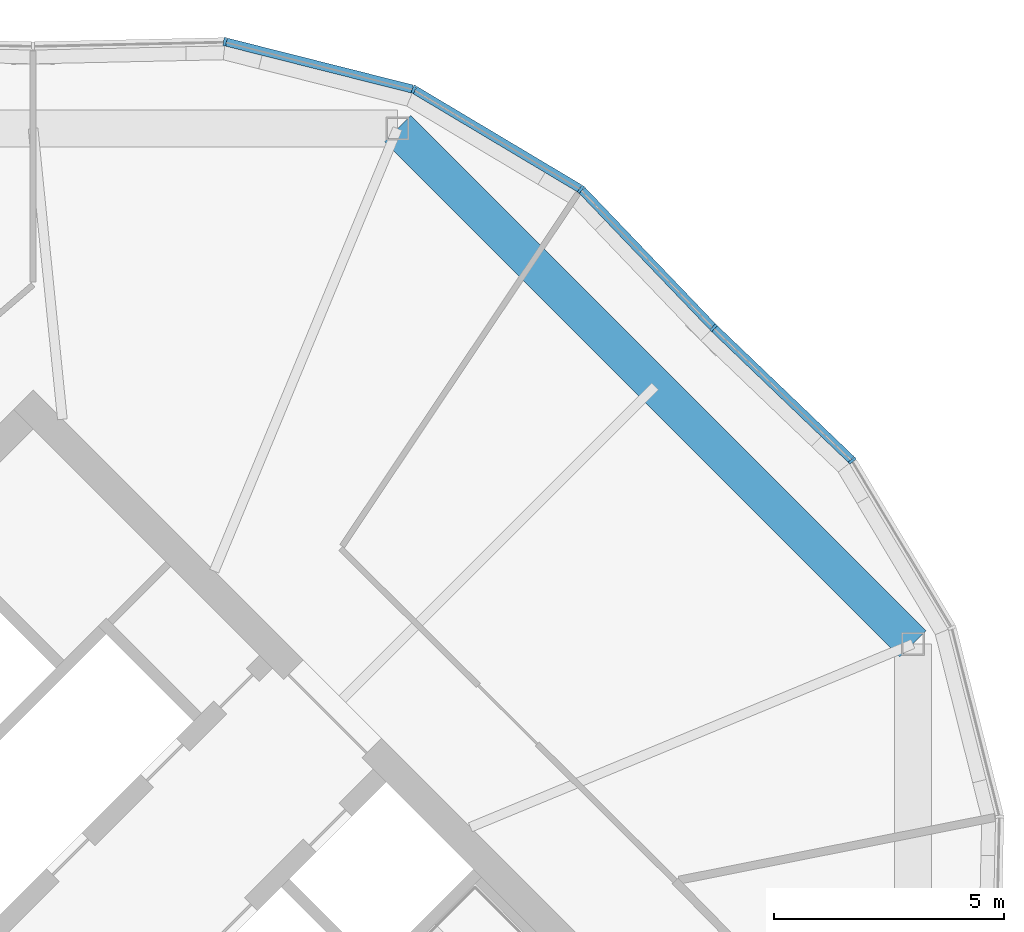
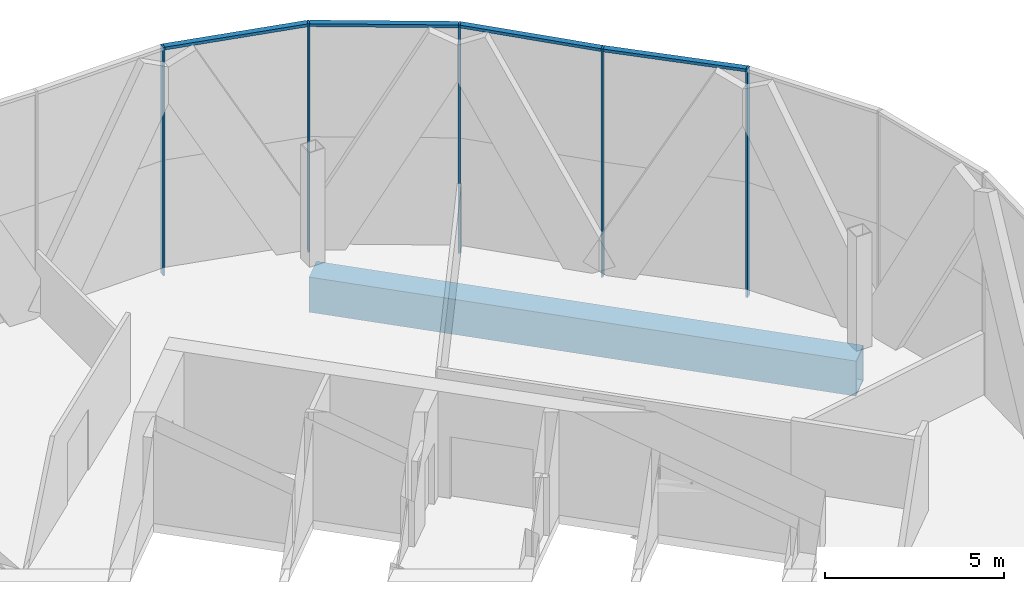
# One storey, part 14 of 26: 9 members, 1 beam, 2 elements without a shape of their own.
"""IFC4 building model written with IfcOpenShell, lengths in metres."""

import ifcopenshell
import ifcopenshell.guid

model = None  # the IFC model being written
_history = None  # IfcOwnerHistory: only IFC2X3 demands one
_inside = {}  # id of a spatial element -> (the spatial element, [elements in it])
_under = {}  # id of a project, library or spatial element -> (it, [spatial elements below it])
_declared = {}  # id of a project -> (the project, [libraries it declares])
_typed = {}  # id of a type object -> (the type object, [elements of that type])
_made_of = {}  # id of a material, layer set ... -> (it, [elements and type objects made of it])


def new_model(schema):
    """Start an empty IFC model of exactly this schema.

    Asked for "IFC4X3", IfcOpenShell would pick the latest addendum, in which some entities
    have other attributes; the version numbers below select the first issue.
    IFC2X3 requires an IfcOwnerHistory on every rooted entity: one is made here for all.
    """
    global model, _history
    if schema == "IFC4X3":
        model = ifcopenshell.file(schema_version=(4, 3, 0, 0))
    else:
        model = ifcopenshell.file(schema=schema)
    _inside.clear()
    _under.clear()
    _declared.clear()
    _typed.clear()
    _made_of.clear()
    _history = None
    if model.schema == "IFC2X3":
        org = make("IfcOrganization", Name="unknown")
        user = make(
            "IfcPersonAndOrganization",
            ThePerson=make("IfcPerson", FamilyName="unknown"),
            TheOrganization=org,
        )
        app = make(
            "IfcApplication",
            ApplicationDeveloper=org,
            Version="unknown",
            ApplicationFullName="unknown",
            ApplicationIdentifier="unknown",
        )
        _history = make(
            "IfcOwnerHistory",
            OwningUser=user,
            OwningApplication=app,
            ChangeAction="ADDED",
            CreationDate=0,
        )
    return model


def make(cls, **values):
    """One entity of the class cls with the attributes given. An attribute that is None is left unset."""
    return model.create_entity(
        cls, **{name: value for name, value in values.items() if value is not None}
    )


def rooted(cls, **values):
    """An entity with a GlobalId (a new one), such as an element, a storey or a relation."""
    return make(cls, GlobalId=ifcopenshell.guid.new(), OwnerHistory=_history, **values)


def si_unit(unit_type, name, prefix=None):
    """IfcSIUnit, for example si_unit("LENGTHUNIT", "METRE", prefix="MILLI")."""
    return make("IfcSIUnit", UnitType=unit_type, Prefix=prefix, Name=name)


def assignment(units):
    """IfcUnitAssignment: the units of a project."""
    return None if units is None else make("IfcUnitAssignment", Units=units)


def point(xyz):
    """IfcCartesianPoint."""
    return None if xyz is None else make("IfcCartesianPoint", Coordinates=xyz)


def direction(xyz):
    """IfcDirection."""
    return None if xyz is None else make("IfcDirection", DirectionRatios=xyz)


def frame(location, z_axis=None, x_axis=None):
    """IfcAxis2Placement3D, a coordinate frame: its origin and axes. An axis left out is left unset."""
    return make(
        "IfcAxis2Placement3D",
        Location=point(location),
        Axis=direction(z_axis),
        RefDirection=direction(x_axis),
    )


def frame_2d(location, x_axis=None):
    """IfcAxis2Placement2D, a coordinate frame in the plane: its origin and x axis."""
    return make(
        "IfcAxis2Placement2D", Location=point(location), RefDirection=direction(x_axis)
    )


def origin():
    """The frame at (0, 0, 0) with its axes left unset."""
    return frame((0.0, 0.0, 0.0))


def origin_2d():
    """The frame at (0, 0) in the plane with its x axis left unset."""
    return frame_2d((0.0, 0.0))


def place(relative_to, where):
    """IfcLocalPlacement: puts the frame where relative to a parent placement (None: the world)."""
    return make(
        "IfcLocalPlacement", PlacementRelTo=relative_to, RelativePlacement=where
    )


def context(
    kind, dimensions, precision=None, world=None, true_north=None, identifier=None
):
    """IfcGeometricRepresentationContext, for example the 3D "Model" context."""
    return make(
        "IfcGeometricRepresentationContext",
        ContextIdentifier=identifier,
        ContextType=kind,
        CoordinateSpaceDimension=dimensions,
        Precision=precision,
        WorldCoordinateSystem=world,
        TrueNorth=true_north,
    )


def subcontext(parent, identifier, kind, view, scale=None):
    """IfcGeometricRepresentationSubContext, for example "Body" below "Model"."""
    return make(
        "IfcGeometricRepresentationSubContext",
        ContextIdentifier=identifier,
        ContextType=kind,
        ParentContext=parent,
        TargetScale=scale,
        TargetView=view,
    )


def project(units=None, contexts=None):
    """IfcProject with its units and contexts."""
    return rooted(
        "IfcProject",
        Name="project",
        RepresentationContexts=contexts,
        UnitsInContext=assignment(units),
    )


def spatial(cls, under=None, at=None, **own):
    """A site, building, storey or space (cls), placed at a placement, below another one or the project."""
    s = rooted(cls, ObjectPlacement=at, **own)
    if under is not None:
        _under.setdefault(under.id(), (under, []))[1].append(s)
    return s


def profile(cls, at=None, kind="AREA", **sizes):
    """A parametric profile (cls). Its sizes go by their IFC names, for example OverallWidth=200.0."""
    return make(cls, ProfileType=kind, Position=at, **sizes)


def rectangle(**sizes):
    """IfcRectangleProfileDef."""
    return profile("IfcRectangleProfileDef", **sizes)


def hollow_rectangle(**sizes):
    """IfcRectangleHollowProfileDef."""
    return profile("IfcRectangleHollowProfileDef", **sizes)


def extrude(swept, where, along, depth):
    """IfcExtrudedAreaSolid: the profile swept, set in the frame where, extruded along a direction by depth."""
    return make(
        "IfcExtrudedAreaSolid",
        SweptArea=swept,
        Position=where,
        ExtrudedDirection=direction(along),
        Depth=depth,
    )


def shape(context_of_items, identifier, shape_type, items):
    """IfcShapeRepresentation: the items that make up one representation, for example the "Body"."""
    return make(
        "IfcShapeRepresentation",
        ContextOfItems=context_of_items,
        RepresentationIdentifier=identifier,
        RepresentationType=shape_type,
        Items=items,
    )


def material(Name=None, Category=None):
    """IfcMaterial."""
    return make("IfcMaterial", Name=Name, Category=Category)


def material_profile(
    of_material, cross_section, Name=None, Category=None, Priority=None
):
    """IfcMaterialProfile: a cross section and its material."""
    return make(
        "IfcMaterialProfile",
        Name=Name,
        Material=of_material,
        Profile=cross_section,
        Priority=Priority,
        Category=Category,
    )


def profile_set(profiles, Name=None, composite=None):
    """IfcMaterialProfileSet."""
    return make(
        "IfcMaterialProfileSet",
        Name=Name,
        MaterialProfiles=profiles,
        CompositeProfile=composite,
    )


def made_of(thing, what):
    """Note that an element or type object is made of a material, layer set ...; save() writes the relation."""
    if what is not None:
        _made_of.setdefault(what.id(), (what, []))[1].append(thing)
    return thing


def type_object(cls, material=None, **own):
    """A type object (cls), such as IfcWallType, which elements share."""
    return made_of(rooted(cls, **own), material)


def element(
    cls,
    number,
    at=None,
    inside=None,
    cuts=None,
    type_object=None,
    material=None,
    context=None,
    identifier="Body",
    shape_type=None,
    held_by="IfcProductDefinitionShape",
    body=None,
    shapes=None,
    **own,
):
    """One element of the class cls, such as IfcWall. Its Tag is "e" and its number.

    at: its placement. inside: the storey or other place that contains it. cuts: it is an
    opening in that element (IfcRelVoidsElement). A single representation is given by context,
    identifier, shape_type and body (its items); several are given by shapes. held_by: the class
    of the entity that holds the representations. save() writes the other relations.
    """
    e = rooted(cls, Tag="e%d" % number, ObjectPlacement=at, **own)
    if body is not None:
        shapes = [shape(context, identifier, shape_type, body)]
    if shapes is not None:
        e.Representation = make(held_by, Representations=shapes)
    if inside is not None:
        _inside.setdefault(inside.id(), (inside, []))[1].append(e)
    if cuts is not None:
        rooted(
            "IfcRelVoidsElement", RelatingBuildingElement=cuts, RelatedOpeningElement=e
        )
    if type_object is not None:
        _typed.setdefault(type_object.id(), (type_object, []))[1].append(e)
    return made_of(e, material)


def aggregate(whole, parts):
    """IfcRelAggregates: a whole, such as a stair, and the parts it consists of."""
    return rooted("IfcRelAggregates", RelatingObject=whole, RelatedObjects=parts)


def save(model, path):
    """Write the relations noted so far, then the file.

    IfcRelAggregates (storeys below a building ...), IfcRelContainedInSpatialStructure (elements
    in a storey), IfcRelDefinesByType, IfcRelAssociatesMaterial and IfcRelDeclares: one each for
    every whole, place, type object, material and project.
    """
    for whole, parts in _under.values():
        aggregate(whole, parts)
    for where, things in _inside.values():
        rooted(
            "IfcRelContainedInSpatialStructure",
            RelatedElements=things,
            RelatingStructure=where,
        )
    for kind, things in _typed.values():
        rooted("IfcRelDefinesByType", RelatedObjects=things, RelatingType=kind)
    for what, things in _made_of.values():
        rooted("IfcRelAssociatesMaterial", RelatedObjects=things, RelatingMaterial=what)
    for by, libraries in _declared.values():
        rooted("IfcRelDeclares", RelatingContext=by, RelatedDefinitions=libraries)
    model.write(path)


model = new_model("IFC4")

# Units and contexts
model_context = context("Model", 3, precision=1e-05, world=origin(), true_north=direction((0.0, 1.0)))
body_context = subcontext(model_context, "Body", "Model", "MODEL_VIEW")
ifc_project = project(units=[si_unit("LENGTHUNIT", "METRE"), si_unit("AREAUNIT", "SQUARE_METRE"), si_unit("VOLUMEUNIT", "CUBIC_METRE"), si_unit("PLANEANGLEUNIT", "RADIAN"), si_unit("MASSUNIT", "GRAM", prefix="KILO")], contexts=[model_context])

# Site, building, storey
site_placement = place(None, origin())
site = spatial("IfcSite", under=ifc_project, at=site_placement, CompositionType="ELEMENT")
building_placement = place(site_placement, origin())
building = spatial("IfcBuilding", under=site, at=building_placement, Name="Ogive Gate Towers", CompositionType="ELEMENT")
storey_placement = place(building_placement, frame((0.0, 0.0, 208.5)))
storey = spatial("IfcBuildingStorey", under=building, at=storey_placement, Name="L50", CompositionType="ELEMENT", Elevation=208.5)

# Beam
ifc_material_1 = material(Name="Steel SM460", Category="steel")
ifc_material_profile_1 = material_profile(ifc_material_1, hollow_rectangle(XDim=0.800048828125, YDim=1.199951171875, WallThickness=0.050048828125, at=origin_2d()), Name="BX 1200x800x50")
ifc_profile_set_1 = profile_set([ifc_material_profile_1], Name="Steel SM460")
beam_type = type_object("IfcBeamType", Name="Edge girder BX 1200x800x50", PredefinedType="BEAM", material=ifc_profile_set_1)
beam_placement = place(storey_placement, frame((55.114990234375, 7.917724609375, -0.89990234375), z_axis=(-0.707106781187, 0.707106781187, 0.0), x_axis=(-0.707106781187, -0.707106781187, 0.0)))
element("IfcBeam", 1, at=beam_placement, inside=storey, type_object=beam_type, Name="T2/L50/SBM021", PredefinedType="BEAM", context=body_context, shape_type="SweptSolid", body=[
    extrude(hollow_rectangle(XDim=0.800048828125, YDim=1.199951171875, WallThickness=0.050048828125, at=origin_2d()), origin(), (0.0, 0.0, 1.0), 15.835205078125),
])

# Curtain wall, members
ifc_material_2 = material(Name="Pale metal aluminium", Category="aluminium")
curtain_wall_type = type_object("IfcCurtainWallType", Name="Tower unitised wall, high zone", PredefinedType="NOTDEFINED", material=ifc_material_2)
curtain_wall_1_placement = place(storey_placement, origin())
curtain_wall_1 = element("IfcCurtainWall", 2, at=curtain_wall_1_placement, inside=storey, type_object=curtain_wall_type, Name="CW2 T2 ECW04", PredefinedType="NOTDEFINED")
ifc_material_profile_2 = material_profile(ifc_material_2, rectangle(XDim=0.179931640625, YDim=0.06005859375, at=origin_2d()), Name="60 x 180 aluminium box")
ifc_profile_set_2 = profile_set([ifc_material_profile_2], Name="Pale metal aluminium")
member_type_1 = type_object("IfcMemberType", Name="Tower unitised wall, high zone mullion 60 x 180", PredefinedType="MULLION", material=ifc_profile_set_2)
member_1_placement = place(storey_placement, frame((50.785400390625, 14.78564453125, -0.300048828125), z_axis=(0.0, 0.0, 1.0), x_axis=(-0.691500448047, -0.722376031129, 0.0)))
member_1 = element("IfcMember", 3, at=member_1_placement, type_object=member_type_1, Name="CW2 mullion", PredefinedType="MULLION", context=body_context, shape_type="SweptSolid", body=[
    extrude(rectangle(XDim=0.179931640625, YDim=0.06005859375, at=origin_2d()), origin(), (0.0, 0.0, 1.0), 7.800048828125),
])
member_2_placement = place(storey_placement, frame((53.797119140625, 11.902587890625, -0.300048828125), z_axis=(0.0, 0.0, 1.0), x_axis=(-0.782097241889, -0.623156404308, 0.0)))
member_2 = element("IfcMember", 4, at=member_2_placement, type_object=member_type_1, Name="CW2 mullion", PredefinedType="MULLION", context=body_context, shape_type="SweptSolid", body=[
    extrude(rectangle(XDim=0.179931640625, YDim=0.06005859375, at=origin_2d()), origin(), (0.0, 0.0, 1.0), 7.800048828125),
])

curtain_wall_2_placement = place(storey_placement, origin())
curtain_wall_2 = element("IfcCurtainWall", 5, at=curtain_wall_2_placement, inside=storey, type_object=curtain_wall_type, Name="CW2 T2 ECW05", PredefinedType="NOTDEFINED")
member_3_placement = place(storey_placement, frame((40.16796875, 21.0009765625, -0.300048828125), z_axis=(0.0, 0.0, 1.0), x_axis=(-0.112405486759, -0.993662420818, 0.0)))
member_3 = element("IfcMember", 6, at=member_3_placement, type_object=member_type_1, Name="CW2 mullion", PredefinedType="MULLION", context=body_context, shape_type="SweptSolid", body=[
    extrude(rectangle(XDim=0.179931640625, YDim=0.06005859375, at=origin_2d()), origin(), (0.0, 0.0, 1.0), 7.800048828125),
])
member_4_placement = place(storey_placement, frame((44.270263671875, 19.966064453125, -0.300048828125), z_axis=(0.0, 0.0, 1.0), x_axis=(-0.382683432365, -0.923879532511, 0.0)))
member_4 = element("IfcMember", 7, at=member_4_placement, type_object=member_type_1, Name="CW2 mullion", PredefinedType="MULLION", context=body_context, shape_type="SweptSolid", body=[
    extrude(rectangle(XDim=0.179931640625, YDim=0.06005859375, at=origin_2d()), origin(), (0.0, 0.0, 1.0), 7.800048828125),
])
member_5_placement = place(storey_placement, frame((47.902587890625, 17.797119140625, -0.300048828125), z_axis=(0.0, 0.0, 1.0), x_axis=(-0.623156404308, -0.782097241889, 0.0)))
member_5 = element("IfcMember", 8, at=member_5_placement, type_object=member_type_1, Name="CW2 mullion", PredefinedType="MULLION", context=body_context, shape_type="SweptSolid", body=[
    extrude(rectangle(XDim=0.179931640625, YDim=0.06005859375, at=origin_2d()), origin(), (0.0, 0.0, 1.0), 7.800048828125),
])

# Member
ifc_material_profile_3 = material_profile(ifc_material_2, rectangle(XDim=0.179931640625, YDim=0.10009765625, at=origin_2d()), Name="100 x 180 aluminium box")
ifc_profile_set_3 = profile_set([ifc_material_profile_3], Name="Pale metal aluminium")
member_type_2 = type_object("IfcMemberType", Name="Tower unitised wall, high zone transom 100 x 180", PredefinedType="USERDEFINED", material=ifc_profile_set_3)
member_6_placement = place(storey_placement, frame((50.80712890625, 14.764892578125, 7.449951171875), z_axis=(0.722391390137, -0.691484402901, 0.0), x_axis=(0.691484402901, 0.722391390137, 0.0)))
member_6 = element("IfcMember", 9, at=member_6_placement, type_object=member_type_2, Name="CW2 transom", ObjectType="TRANSOM", PredefinedType="USERDEFINED", context=body_context, shape_type="SweptSolid", body=[
    extrude(rectangle(XDim=0.179931640625, YDim=0.10009765625, at=origin_2d()), origin(), (0.0, 0.0, 1.0), 4.107666015625),
])

aggregate(curtain_wall_1, [member_1, member_2, member_6])

member_7_placement = place(storey_placement, frame((40.1982421875, 20.993408203125, 7.449951171875), z_axis=(0.96962347372, -0.244602369594, 0.0), x_axis=(0.244602369594, 0.96962347372, 0.0)))
member_7 = element("IfcMember", 10, at=member_7_placement, type_object=member_type_2, Name="CW2 transom", ObjectType="TRANSOM", PredefinedType="USERDEFINED", context=body_context, shape_type="SweptSolid", body=[
    extrude(rectangle(XDim=0.179931640625, YDim=0.10009765625, at=origin_2d()), origin(), (0.0, 0.0, 1.0), 4.168212890625),
])

member_8_placement = place(storey_placement, frame((44.29736328125, 19.949951171875, 7.449951171875), z_axis=(0.858596984075, -0.512651166914, 0.0), x_axis=(0.512651166914, 0.858596984075, 0.0)))
member_8 = element("IfcMember", 11, at=member_8_placement, type_object=member_type_2, Name="CW2 transom", ObjectType="TRANSOM", PredefinedType="USERDEFINED", context=body_context, shape_type="SweptSolid", body=[
    extrude(rectangle(XDim=0.179931640625, YDim=0.10009765625, at=origin_2d()), origin(), (0.0, 0.0, 1.0), 4.16796875),
])

member_9_placement = place(storey_placement, frame((47.924560546875, 17.7744140625, 7.449951171875), z_axis=(0.691484402901, -0.722391390137, 0.0), x_axis=(0.722391390137, 0.691484402901, 0.0)))
member_9 = element("IfcMember", 12, at=member_9_placement, type_object=member_type_2, Name="CW2 transom", ObjectType="TRANSOM", PredefinedType="USERDEFINED", context=body_context, shape_type="SweptSolid", body=[
    extrude(rectangle(XDim=0.179931640625, YDim=0.10009765625, at=origin_2d()), origin(), (0.0, 0.0, 1.0), 4.107666015625),
])

aggregate(curtain_wall_2, [member_3, member_4, member_7, member_5, member_8, member_9])

save(model, "model.ifc")
